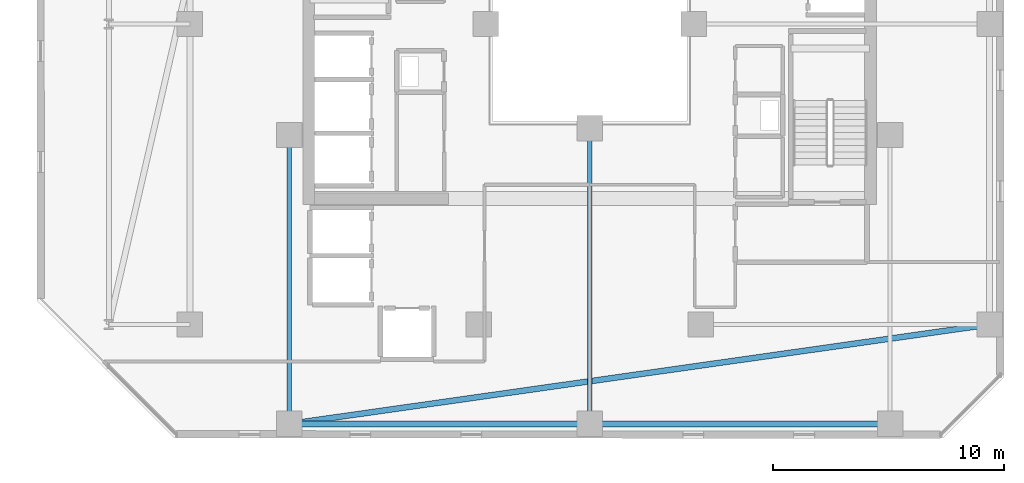
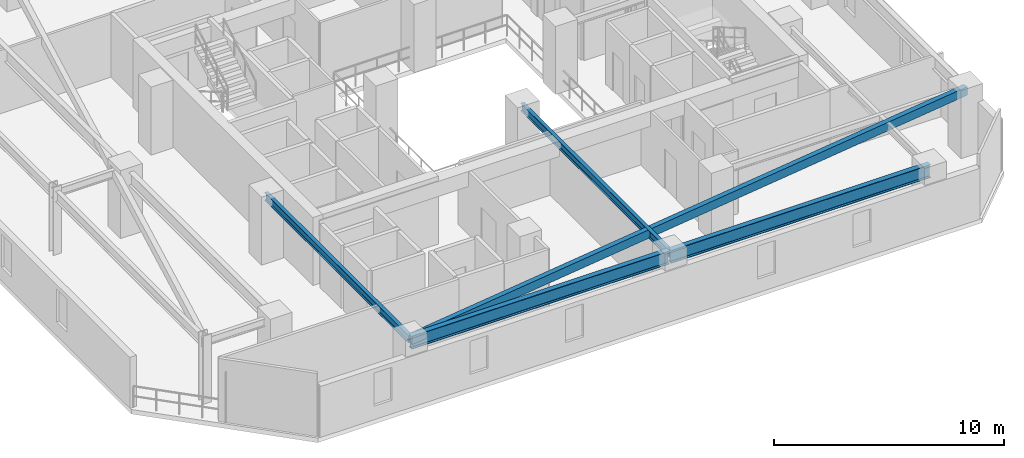
# One storey, part 12 of 32: 5 beams.
"""IFC4 building model written with IfcOpenShell, lengths in metres."""

from ifc_helpers import new_model, si_unit, direction, frame, origin, origin_2d, place, context, subcontext, project, spatial, hollow_rectangle, i_section, extrude, material, material_profile, profile_set, type_object, element, save


model = new_model("IFC4")

# Units and contexts
model_context = context("Model", 3, precision=1e-05, world=origin(), true_north=direction((0.0, 1.0)))
body_context = subcontext(model_context, "Body", "Model", "MODEL_VIEW")
ifc_project = project(units=[si_unit("LENGTHUNIT", "METRE"), si_unit("AREAUNIT", "SQUARE_METRE"), si_unit("VOLUMEUNIT", "CUBIC_METRE"), si_unit("PLANEANGLEUNIT", "RADIAN"), si_unit("MASSUNIT", "GRAM", prefix="KILO")], contexts=[model_context])

# Site, building, storey
site_placement = place(None, origin())
site = spatial("IfcSite", under=ifc_project, at=site_placement, CompositionType="ELEMENT")
building_placement = place(site_placement, origin())
building = spatial("IfcBuilding", under=site, at=building_placement, Name="Thornwick Lancets Civic Towers", CompositionType="ELEMENT")
storey_placement = place(building_placement, frame((0.0, 0.0, 178.5)))
storey = spatial("IfcBuildingStorey", under=building, at=storey_placement, Name="L47", CompositionType="ELEMENT", Elevation=178.5)

# Beams
ifc_material = material(Name="Steel S355JR", Category="steel")
ifc_material_profile_1 = material_profile(ifc_material, i_section(OverallWidth=0.255859375, OverallDepth=0.69287109375, WebThickness=0.014404296875, FlangeThickness=0.023681640625, FilletRadius=0.01513671875, at=origin_2d()), Name="UKB 686x254x170")
ifc_profile_set_1 = profile_set([ifc_material_profile_1], Name="Steel S355JR")
beam_type_1 = type_object("IfcBeamType", Name="BM_GIRD_686_170", PredefinedType="BEAM", material=ifc_profile_set_1)
beam_1_placement = place(storey_placement, frame((101.5, 9.699951171875, 3.013671875), z_axis=(-1.0, 0.0, 0.0), x_axis=(0.0, -1.0, 0.0)))
element("IfcBeam", 1, at=beam_1_placement, inside=storey, type_object=beam_type_1, Name="BM-SPINE-L47-B-9-10", PredefinedType="BEAM", context=body_context, shape_type="SweptSolid", body=[
    extrude(i_section(OverallWidth=0.255859375, OverallDepth=0.69287109375, WebThickness=0.014404296875, FlangeThickness=0.023681640625, FilletRadius=0.01513671875, at=origin_2d()), origin(), (0.0, 0.0, 1.0), 13.0),
])
beam_2_placement = place(storey_placement, frame((88.419921875, 9.699951171875, 3.013671875), z_axis=(-1.0, 0.0, 0.0), x_axis=(0.0, -1.0, 0.0)))
element("IfcBeam", 2, at=beam_2_placement, inside=storey, type_object=beam_type_1, Name="BM-SPINE-L47-B-10-11", PredefinedType="BEAM", context=body_context, shape_type="SweptSolid", body=[
    extrude(i_section(OverallWidth=0.255859375, OverallDepth=0.69287109375, WebThickness=0.014404296875, FlangeThickness=0.023681640625, FilletRadius=0.01513671875, at=origin_2d()), origin(), (0.0, 0.0, 1.0), 12.919921875),
])
ifc_material_profile_2 = material_profile(ifc_material, i_section(OverallWidth=0.179443359375, OverallDepth=0.412841796875, WebThickness=0.009521484375, FlangeThickness=0.01611328125, FilletRadius=0.01025390625, at=origin_2d()), Name="UKB 406x178x74")
ifc_profile_set_2 = profile_set([ifc_material_profile_2], Name="Steel S355JR")
beam_type_2 = type_object("IfcBeamType", Name="BM_JOIST_406_74", PredefinedType="JOIST", material=ifc_profile_set_2)
beam_3_placement = place(storey_placement, frame((88.5, 22.5, 3.153564453125), z_axis=(0.0, -1.0, 0.0), x_axis=(1.0, 0.0, 0.0)))
element("IfcBeam", 3, at=beam_3_placement, inside=storey, type_object=beam_type_2, Name="BM-RADIN-L47-B11", PredefinedType="JOIST", context=body_context, shape_type="SweptSolid", body=[
    extrude(i_section(OverallWidth=0.179443359375, OverallDepth=0.412841796875, WebThickness=0.009521484375, FlangeThickness=0.01611328125, FilletRadius=0.01025390625, at=origin_2d()), origin(), (0.0, 0.0, 1.0), 12.800048828125),
])
beam_4_placement = place(storey_placement, frame((75.5, 22.199951171875, 3.153564453125), z_axis=(0.0, -1.0, 0.0), x_axis=(1.0, 0.0, 0.0)))
element("IfcBeam", 4, at=beam_4_placement, inside=storey, type_object=beam_type_2, Name="BM-RADIN-L47-B12", PredefinedType="JOIST", context=body_context, shape_type="SweptSolid", body=[
    extrude(i_section(OverallWidth=0.179443359375, OverallDepth=0.412841796875, WebThickness=0.009521484375, FlangeThickness=0.01611328125, FilletRadius=0.01025390625, at=origin_2d()), origin(), (0.0, 0.0, 1.0), 12.5),
])
ifc_material_profile_3 = material_profile(ifc_material, hollow_rectangle(XDim=0.25, YDim=0.449951171875, WallThickness=0.01611328125, at=origin_2d()), Name="RHS 450x250x16")
ifc_profile_set_3 = profile_set([ifc_material_profile_3], Name="Steel S355JR")
beam_type_3 = type_object("IfcBeamType", Name="BM_RING_RHS450", PredefinedType="BEAM", material=ifc_profile_set_3)
beam_5_placement = place(storey_placement, frame((75.5, 9.699951171875, 3.135009765625), z_axis=(0.990079584012, 0.140507712682, 0.0), x_axis=(-0.140507712682, 0.990079584012, 0.0)))
element("IfcBeam", 5, at=beam_5_placement, inside=storey, type_object=beam_type_3, Name="BM-CHAMF-L47-B-C3", PredefinedType="BEAM", context=body_context, shape_type="SweptSolid", body=[
    extrude(hollow_rectangle(XDim=0.25, YDim=0.449951171875, WallThickness=0.01611328125, at=origin_2d()), origin(), (0.0, 0.0, 1.0), 30.603759765625),
])

save(model, "model.ifc")
